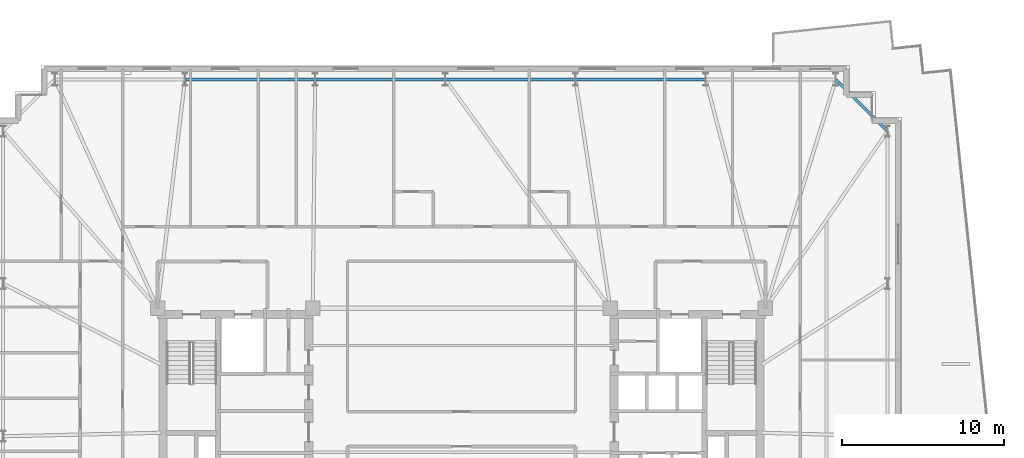
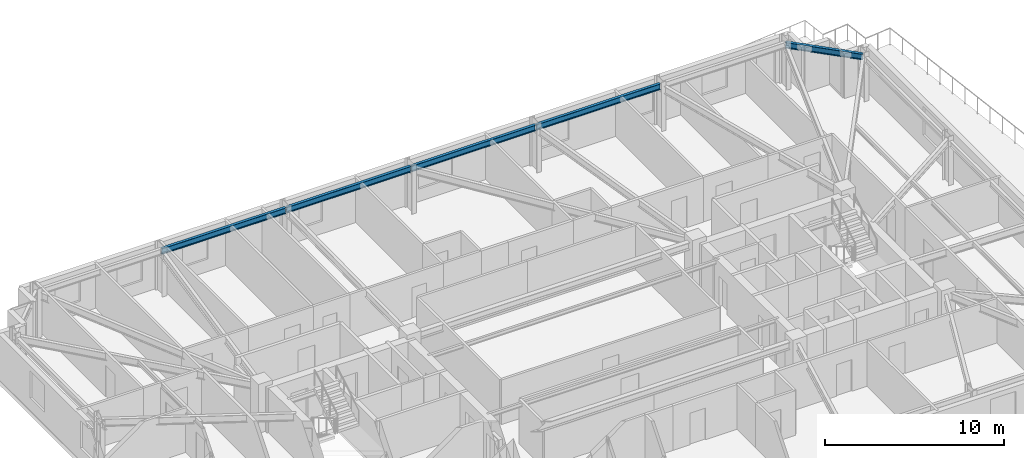
# One storey, part 8 of 19: 5 beams.
"""IFC4 building model written with IfcOpenShell, lengths in metres."""

from ifc_helpers import new_model, si_unit, direction, frame, origin, origin_2d, place, context, subcontext, project, spatial, i_section, extrude, material, material_profile, profile_set, type_object, element, save


model = new_model("IFC4")

# Units and contexts
model_context = context("Model", 3, precision=1e-05, world=origin(), true_north=direction((0.0, 1.0)))
body_context = subcontext(model_context, "Body", "Model", "MODEL_VIEW")
ifc_project = project(units=[si_unit("LENGTHUNIT", "METRE"), si_unit("AREAUNIT", "SQUARE_METRE"), si_unit("VOLUMEUNIT", "CUBIC_METRE"), si_unit("PLANEANGLEUNIT", "RADIAN"), si_unit("MASSUNIT", "GRAM", prefix="KILO")], contexts=[model_context])

# Site, building, storey
site_placement = place(None, origin())
site = spatial("IfcSite", under=ifc_project, at=site_placement, CompositionType="ELEMENT")
building_placement = place(site_placement, origin())
building = spatial("IfcBuilding", under=site, at=building_placement, Name="Qobustan Lattice House", CompositionType="ELEMENT")
storey_placement = place(building_placement, frame((0.0, 0.0, 131.0)))
storey = spatial("IfcBuildingStorey", under=building, at=storey_placement, Name="L36", CompositionType="ELEMENT", Elevation=131.0)

# Beams
ifc_material = material(Name="Steel S355", Category="steel")
ifc_material_profile = material_profile(ifc_material, i_section(OverallWidth=0.179931640625, OverallDepth=0.39990234375, WebThickness=0.008544921875, FlangeThickness=0.013427734375, FilletRadius=0.02099609375, at=origin_2d()), Name="IPE400")
ifc_profile_set = profile_set([ifc_material_profile], Name="Steel S355")
beam_type = type_object("IfcBeamType", Name="BM-SPD-IPE400", PredefinedType="SPANDREL", material=ifc_profile_set)
beam_placement = place(storey_placement, frame((26.332275390625, 16.567626953125, 2.840087890625), z_axis=(-0.707079505568, 0.707134055753, 0.0), x_axis=(-0.707134055753, -0.707079505568, 0.0)))
element("IfcBeam", 1, at=beam_placement, inside=storey, type_object=beam_type, Name="L36 perimeter spandrel E4-N1", PredefinedType="SPANDREL", context=body_context, shape_type="SweptSolid", body=[
    extrude(i_section(OverallWidth=0.179931640625, OverallDepth=0.39990234375, WebThickness=0.008544921875, FlangeThickness=0.013427734375, FilletRadius=0.02099609375, at=origin_2d()), origin(), (0.0, 0.0, 1.0), 4.4755859375),
])
for number, where, z_axis, x_axis, name in (
    (2, (15.074951171875, 19.75, 2.840087890625), (-1.0, 0.0, 0.0), (0.0, -1.0, 0.0), "L36 perimeter spandrel N2-N3"),
    (3, (7.02490234375, 19.75, 2.840087890625), (-1.0, 0.0, 0.0), (0.0, -1.0, 0.0), "L36 perimeter spandrel N3-N4"),
    (4, (-1.02490234375, 19.75, 2.840087890625), (-1.0, 0.0, 0.0), (0.0, -1.0, 0.0), "L36 perimeter spandrel N4-N5"),
    (5, (-9.074951171875, 19.75, 2.840087890625), (-1.0, 0.0, 0.0), (0.0, -1.0, 0.0), "L36 perimeter spandrel N5-N6"),
):
    element("IfcBeam", number, at=place(storey_placement, frame(where, z_axis=z_axis, x_axis=x_axis)), inside=storey, type_object=beam_type, Name=name, PredefinedType="SPANDREL", context=body_context, shape_type="SweptSolid", body=[
        extrude(i_section(OverallWidth=0.179931640625, OverallDepth=0.39990234375, WebThickness=0.008544921875, FlangeThickness=0.013427734375, FilletRadius=0.02099609375, at=origin_2d()), origin(), (0.0, 0.0, 1.0), 8.0),
    ])

save(model, "model.ifc")
